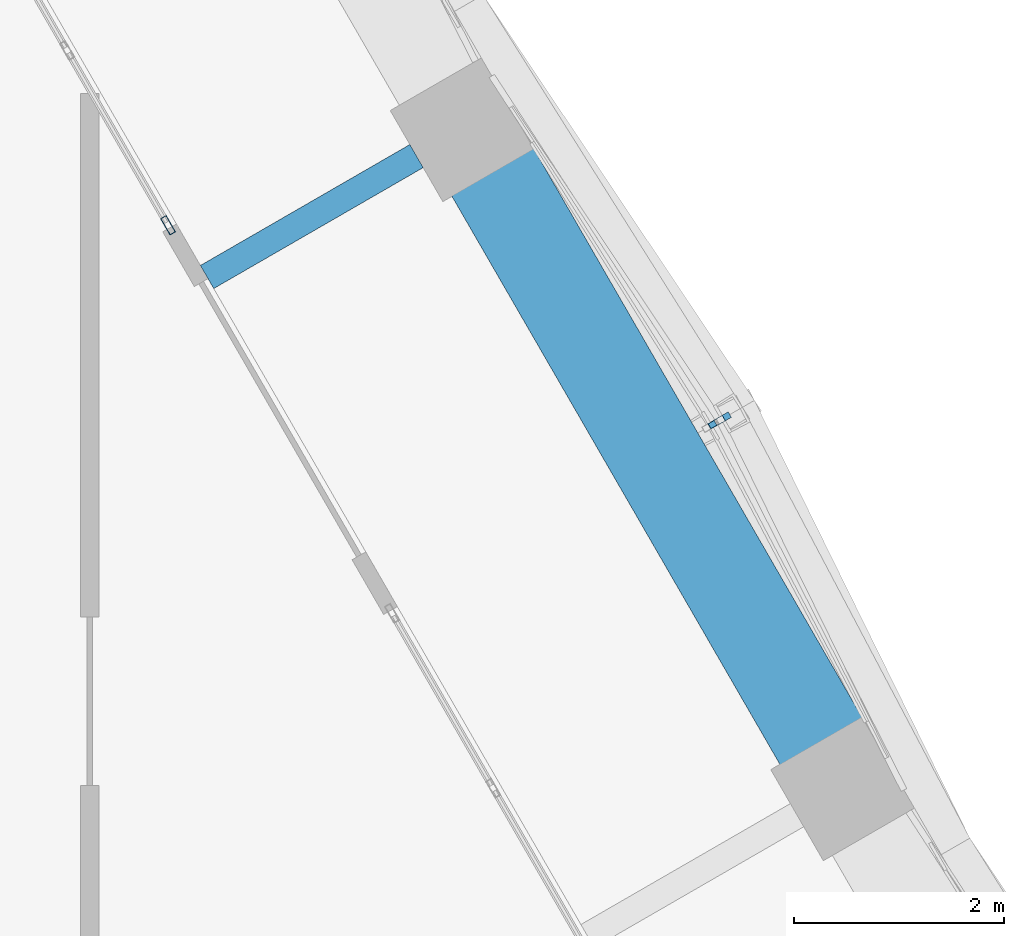
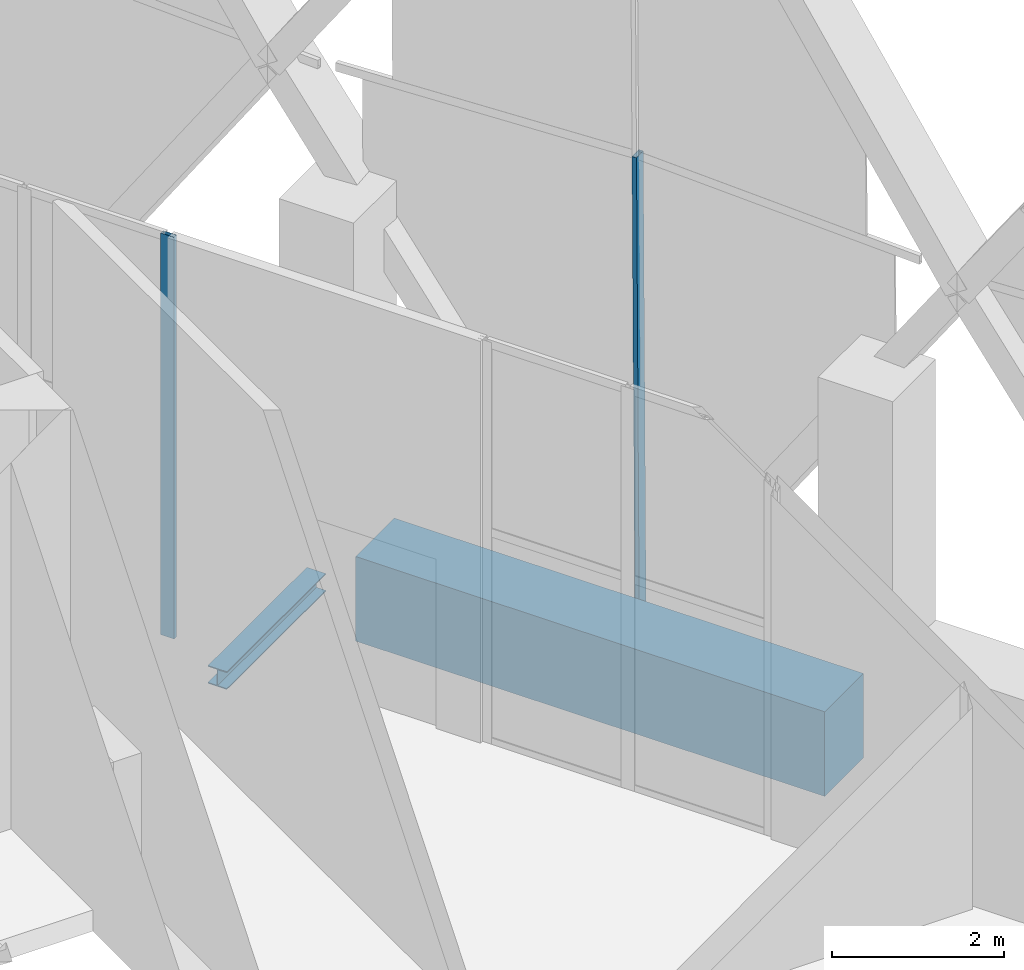
# One storey, part 27 of 43: 2 beams, 2 members, 2 elements without a shape of their own.
"""IFC4 building model written with IfcOpenShell, lengths in metres."""

from ifc_helpers import new_model, si_unit, direction, frame, origin, origin_2d, place, context, subcontext, project, spatial, rectangle, hollow_rectangle, i_section, extrude, material, material_profile, profile_set, type_object, element, aggregate, save


model = new_model("IFC4")

# Units and contexts
model_context = context("Model", 3, precision=1e-05, world=origin(), true_north=direction((0.0, 1.0)))
body_context = subcontext(model_context, "Body", "Model", "MODEL_VIEW")
ifc_project = project(units=[si_unit("LENGTHUNIT", "METRE"), si_unit("AREAUNIT", "SQUARE_METRE"), si_unit("VOLUMEUNIT", "CUBIC_METRE"), si_unit("PLANEANGLEUNIT", "RADIAN"), si_unit("MASSUNIT", "GRAM", prefix="KILO")], contexts=[model_context])

# Site, building, storey
site_placement = place(None, origin())
site = spatial("IfcSite", under=ifc_project, at=site_placement, CompositionType="ELEMENT")
building_placement = place(site_placement, origin())
building = spatial("IfcBuilding", under=site, at=building_placement, Name="Ostrander Bayou Hotel Tower", CompositionType="ELEMENT")
storey_placement = place(building_placement, frame((0.0, 0.0, 151.0)))
storey = spatial("IfcBuildingStorey", under=building, at=storey_placement, Name="L37", CompositionType="ELEMENT", Elevation=151.0)

# Curtain wall, member
ifc_material_1 = material(Name="Aluminium and clear glass", Category="aluminium")
curtain_wall_type_1 = type_object("IfcCurtainWallType", Name="CW-LAT lattice glazing", PredefinedType="NOTDEFINED", material=ifc_material_1)
curtain_wall_1_placement = place(storey_placement, origin())
curtain_wall_1 = element("IfcCurtainWall", 1, at=curtain_wall_1_placement, inside=storey, type_object=curtain_wall_type_1, Name="CW-LAT L37 NE 1", PredefinedType="NOTDEFINED")
ifc_material_2 = material(Name="Aluminium", Category="aluminium")
ifc_material_profile_1 = material_profile(ifc_material_2, hollow_rectangle(XDim=0.06005859375, YDim=0.159912109375, WallThickness=0.00390625, at=origin_2d()))
ifc_profile_set_1 = profile_set([ifc_material_profile_1], Name="Aluminium")
member_type_1 = type_object("IfcMemberType", Name="CW-LA mullion 60 x 160 mm", PredefinedType="MULLION", material=ifc_profile_set_1)
member_1_placement = place(storey_placement, frame((16.51513671875, 9.534912109375, -0.60009765625), z_axis=(-0.008390809755, -0.004846415979, 0.99995305218), x_axis=(0.500153222552, -0.865936922628, 0.0)))
member_1 = element("IfcMember", 2, at=member_1_placement, type_object=member_type_1, Name="CW-LAT mullion 4", PredefinedType="MULLION", context=body_context, shape_type="SweptSolid", body=[
    extrude(hollow_rectangle(XDim=0.06005859375, YDim=0.159912109375, WallThickness=0.00390625, at=origin_2d()), origin(), (0.0, 0.0, 1.0), 6.750244140625),
])
aggregate(curtain_wall_1, [member_1])

ifc_material_3 = material(Name="Aluminium and clear glass", Category="aluminium")
curtain_wall_type_2 = type_object("IfcCurtainWallType", Name="CW-SKY amenity glass wall", PredefinedType="NOTDEFINED", material=ifc_material_3)
curtain_wall_2_placement = place(storey_placement, origin())
curtain_wall_2 = element("IfcCurtainWall", 3, at=curtain_wall_2_placement, inside=storey, type_object=curtain_wall_type_2, Name="CW-SKY L37 NE 4", PredefinedType="NOTDEFINED")
ifc_material_4 = material(Name="Aluminium", Category="aluminium")
ifc_material_profile_2 = material_profile(ifc_material_4, hollow_rectangle(XDim=0.06005859375, YDim=0.179931640625, WallThickness=0.00390625, at=origin_2d()))
ifc_profile_set_2 = profile_set([ifc_material_profile_2], Name="Aluminium")
member_type_2 = type_object("IfcMemberType", Name="CW-SK mullion 60 x 180 mm", PredefinedType="MULLION", material=ifc_profile_set_2)
member_2_placement = place(storey_placement, frame((11.243408203125, 11.375732421875, 0.0), z_axis=(0.0, 0.0, 1.0), x_axis=(-0.866025463091, -0.499999897278, 0.0)))
member_2 = element("IfcMember", 4, at=member_2_placement, type_object=member_type_2, Name="CW-SKY mullion 1", PredefinedType="MULLION", context=body_context, shape_type="SweptSolid", body=[
    extrude(hollow_rectangle(XDim=0.06005859375, YDim=0.179931640625, WallThickness=0.00390625, at=origin_2d()), origin(), (0.0, 0.0, 1.0), 5.699951171875),
])
aggregate(curtain_wall_2, [member_2])

# Beams
ifc_material_5 = material(Name="Steel ASTM A992", Category="steel")
ifc_material_profile_3 = material_profile(ifc_material_5, i_section(OverallWidth=0.25390625, OverallDepth=0.25341796875, WebThickness=0.008544921875, FlangeThickness=0.01416015625, at=origin_2d()))
ifc_profile_set_3 = profile_set([ifc_material_profile_3], Name="Steel ASTM A992")
beam_type_1 = type_object("IfcBeamType", Name="LB2 loggia bracket W10x49", PredefinedType="BEAM", material=ifc_profile_set_3)
beam_1_placement = place(storey_placement, frame((13.606201171875, 12.033203125, -0.4267578125), z_axis=(-0.86602648383, -0.499998129301, 0.0), x_axis=(0.499998129301, -0.86602648383, 0.0)))
element("IfcBeam", 5, at=beam_1_placement, inside=storey, type_object=beam_type_1, Name="LB2 L37 NE2", PredefinedType="BEAM", context=body_context, shape_type="SweptSolid", body=[
    extrude(i_section(OverallWidth=0.25390625, OverallDepth=0.25341796875, WebThickness=0.008544921875, FlangeThickness=0.01416015625, at=origin_2d()), origin(), (0.0, 0.0, 1.0), 2.2998046875),
])
ifc_material_6 = material(Name="Concrete f'c 60 MPa", Category="concrete")
ifc_material_profile_4 = material_profile(ifc_material_6, rectangle(XDim=0.89990234375, YDim=1.199951171875, at=origin_2d()))
ifc_profile_set_4 = profile_set([ifc_material_profile_4], Name="Concrete f'c 60 MPa")
beam_type_2 = type_object("IfcBeamType", Name="SP3 spandrel beam 900 x 1200 mm f'c 60 MPa", PredefinedType="SPANDREL", material=ifc_profile_set_4)
beam_2_placement = place(storey_placement, frame((17.465576171875, 6.44873046875, -0.60009765625), z_axis=(-0.500013351051, 0.866017695414, 0.0), x_axis=(-0.866017695414, -0.500013351051, 0.0)))
element("IfcBeam", 6, at=beam_2_placement, inside=storey, type_object=beam_type_2, Name="SP3 L37 NE-2", PredefinedType="SPANDREL", context=body_context, shape_type="SweptSolid", body=[
    extrude(rectangle(XDim=0.89990234375, YDim=1.199951171875, at=origin_2d()), origin(), (0.0, 0.0, 1.0), 6.296142578125),
])

save(model, "model.ifc")
